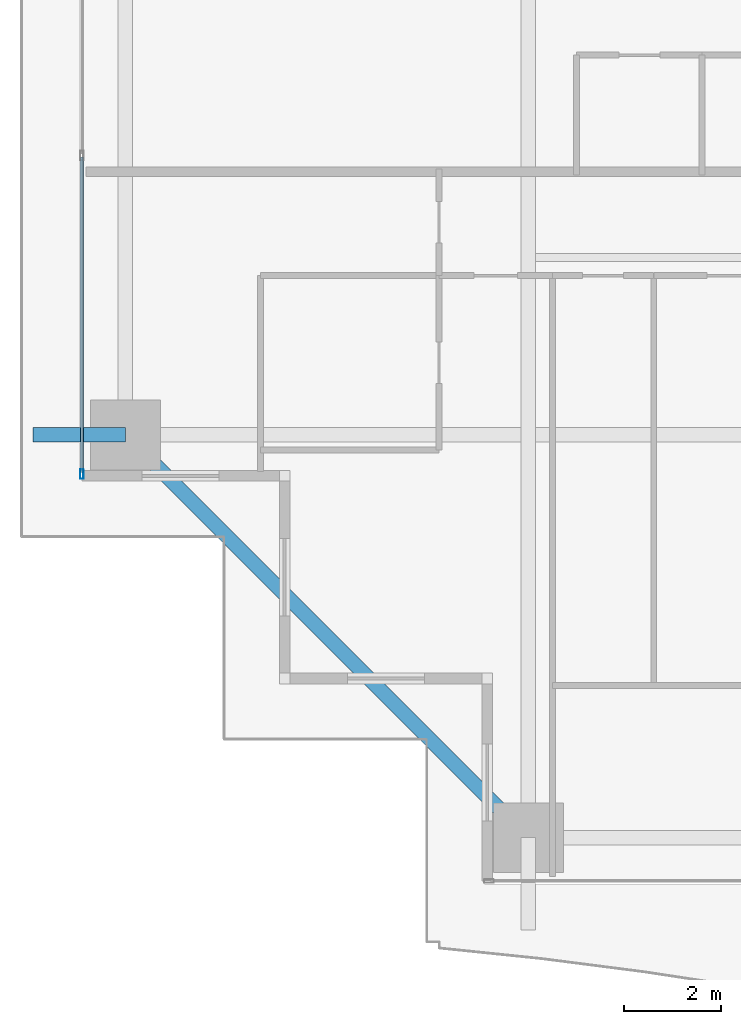
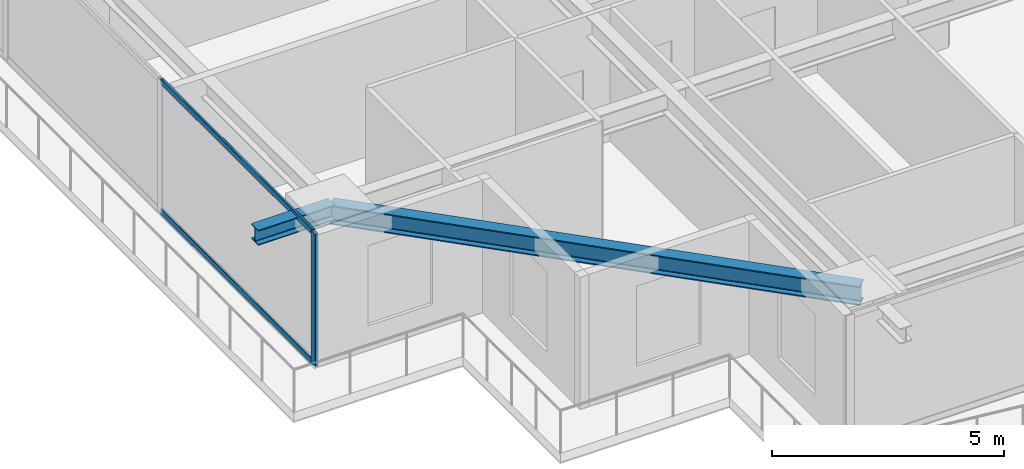
# One storey, part 3 of 39: 3 members, 2 beams, 1 element without a shape of its own.
"""IFC4 building model written with IfcOpenShell, lengths in metres."""

from ifc_helpers import new_model, si_unit, direction, frame, origin, origin_2d, place, context, subcontext, project, spatial, hollow_rectangle, i_section, extrude, source, transform, mapped, material, layer, layer_set, material_profile, profile_set, type_object, element, aggregate, save


model = new_model("IFC4")

# Units and contexts
model_context = context("Model", 3, precision=1e-05, world=origin(), true_north=direction((0.0, 1.0)))
body_context = subcontext(model_context, "Body", "Model", "MODEL_VIEW")
ifc_project = project(units=[si_unit("LENGTHUNIT", "METRE"), si_unit("AREAUNIT", "SQUARE_METRE"), si_unit("VOLUMEUNIT", "CUBIC_METRE"), si_unit("PLANEANGLEUNIT", "RADIAN"), si_unit("MASSUNIT", "GRAM", prefix="KILO")], contexts=[model_context])

# Site, building, storey
site_placement = place(None, origin())
site = spatial("IfcSite", under=ifc_project, at=site_placement, CompositionType="ELEMENT")
building_placement = place(site_placement, origin())
building = spatial("IfcBuilding", under=site, at=building_placement, Name="Serunith Strait Residences", CompositionType="ELEMENT")
storey_placement = place(building_placement, frame((0.0, 0.0, 79.199951171875)))
storey = spatial("IfcBuildingStorey", under=building, at=storey_placement, Name="L19", CompositionType="ELEMENT", Elevation=79.199951171875)

# Beams
ifc_material_1 = material(Name="Steel S355J2", Category="steel")
ifc_material_profile_1 = material_profile(ifc_material_1, i_section(OverallWidth=0.300048828125, OverallDepth=0.5, WebThickness=0.014404296875, FlangeThickness=0.028076171875, FilletRadius=0.027099609375, at=origin_2d()), Name="HEB 500")
ifc_profile_set_1 = profile_set([ifc_material_profile_1], Name="Steel S355J2")
beam_type_1 = type_object("IfcBeamType", Name="BM-HEB500", PredefinedType="BEAM", material=ifc_profile_set_1)
shared_shape_1 = source(origin(), body_context, "Body", "SweptSolid", [
    extrude(i_section(OverallWidth=0.300048828125, OverallDepth=0.5, WebThickness=0.014404296875, FlangeThickness=0.028076171875, FilletRadius=0.027099609375, at=origin_2d()), origin(), (0.0, 0.0, 1.0), 11.80859375),
])
beam_1_placement = place(storey_placement, frame((6.89990234375, 9.449951171875, 3.20703125), z_axis=(0.707117118476, -0.707096443746, 0.0), x_axis=(0.707096443746, 0.707117118476, 0.0)))
element("IfcBeam", 1, at=beam_1_placement, inside=storey, type_object=beam_type_1, Name="L19 Perimeter Ring Beam 16", PredefinedType="BEAM", context=body_context, shape_type="MappedRepresentation", body=[
    mapped(shared_shape_1, transform((0.0, 0.0, 0.0), scale=1.0)),
])
ifc_material_profile_2 = material_profile(ifc_material_1, i_section(OverallWidth=0.300048828125, OverallDepth=0.39990234375, WebThickness=0.013427734375, FlangeThickness=0.02392578125, FilletRadius=0.027099609375, at=origin_2d()), Name="HEB 400")
ifc_profile_set_2 = profile_set([ifc_material_profile_2], Name="Steel S355J2")
beam_type_2 = type_object("IfcBeamType", Name="BM-HEB400", PredefinedType="BEAM", material=ifc_profile_set_2)
shared_shape_2 = source(origin(), body_context, "Body", "SweptSolid", [
    extrude(i_section(OverallWidth=0.300048828125, OverallDepth=0.39990234375, WebThickness=0.013427734375, FlangeThickness=0.02392578125, FilletRadius=0.027099609375, at=origin_2d()), origin(), (0.0, 0.0, 1.0), 1.909912109375),
])
beam_2_placement = place(storey_placement, frame((6.89990234375, 9.449951171875, 3.257080078125), z_axis=(-1.0, 0.0, 0.0), x_axis=(0.0, -1.0, 0.0)))
element("IfcBeam", 2, at=beam_2_placement, inside=storey, type_object=beam_type_2, Name="L20 Cantilevered Balcony Rib TC-W1", PredefinedType="BEAM", context=body_context, shape_type="MappedRepresentation", body=[
    mapped(shared_shape_2, transform((0.0, 0.0, 0.0), scale=1.0)),
])

# Curtain wall, members
ifc_material_2 = material(Name="Pale-Champagne Anodised Aluminium", Category="aluminium")
ifc_layer = layer(ifc_material_2, 0.199951171875, Name="Pale-Champagne Anodised Aluminium")
ifc_layer_set = layer_set([ifc_layer], Name="Pale-Champagne Anodised Aluminium")
curtain_wall_type = type_object("IfcCurtainWallType", Name="CW-SYS1", PredefinedType="NOTDEFINED", material=ifc_layer_set)
curtain_wall_placement = place(storey_placement, origin())
curtain_wall = element("IfcCurtainWall", 3, at=curtain_wall_placement, inside=storey, type_object=curtain_wall_type, Name="L19 W Unitised Fritted Curtain Wall", PredefinedType="NOTDEFINED")
ifc_material_profile_3 = material_profile(ifc_material_2, hollow_rectangle(XDim=0.070068359375, YDim=0.199951171875, WallThickness=0.00390625, InnerFilletRadius=0.006103515625, OuterFilletRadius=0.010009765625, at=origin_2d()), Name="ALU 200x70x4")
ifc_profile_set_3 = profile_set([ifc_material_profile_3], Name="Pale-Champagne Anodised Aluminium")
member_type_1 = type_object("IfcMemberType", Name="CW-SYS1-MULL", PredefinedType="MULLION", material=ifc_profile_set_3)
shared_shape_3 = source(origin(), body_context, "Body", "SweptSolid", [
    extrude(hollow_rectangle(XDim=0.070068359375, YDim=0.199951171875, WallThickness=0.00390625, InnerFilletRadius=0.006103515625, OuterFilletRadius=0.010009765625, at=origin_2d()), origin(), (0.0, 0.0, 1.0), 3.47509765625),
])
member_1_placement = place(storey_placement, frame((6.0, 8.635009765625, 0.0), z_axis=(0.0, 0.0, 1.0), x_axis=(1.0, 0.0, 0.0)))
member_1 = element("IfcMember", 4, at=member_1_placement, type_object=member_type_1, Name="CW-1 mullion 6", PredefinedType="MULLION", context=body_context, shape_type="MappedRepresentation", body=[
    mapped(shared_shape_3, transform((0.0, 0.0, 0.0), scale=1.0)),
])
ifc_material_profile_4 = material_profile(ifc_material_2, hollow_rectangle(XDim=0.06005859375, YDim=0.159912109375, WallThickness=0.00341796875, InnerFilletRadius=0.00537109375, OuterFilletRadius=0.0087890625, at=origin_2d()), Name="ALU 160x60x3.5")
ifc_profile_set_4 = profile_set([ifc_material_profile_4], Name="Pale-Champagne Anodised Aluminium")
member_type_2 = type_object("IfcMemberType", Name="CW-SYS1-TRAN", PredefinedType="USERDEFINED", material=ifc_profile_set_4)
shared_shape_4 = source(origin(), body_context, "Body", "SweptSolid", [
    extrude(hollow_rectangle(XDim=0.06005859375, YDim=0.159912109375, WallThickness=0.00341796875, InnerFilletRadius=0.00537109375, OuterFilletRadius=0.0087890625, at=origin_2d()), origin(), (0.0, 0.0, 1.0), 6.53515625),
])
member_2_placement = place(storey_placement, frame((6.0, 15.205078125, 0.030029296875), z_axis=(0.0, -1.0, 0.0), x_axis=(1.0, 0.0, 0.0)))
member_2 = element("IfcMember", 5, at=member_2_placement, type_object=member_type_2, Name="CW-1 transom 5.1", ObjectType="TRANSOM", PredefinedType="USERDEFINED", context=body_context, shape_type="MappedRepresentation", body=[
    mapped(shared_shape_4, transform((0.0, 0.0, 0.0), scale=1.0)),
])
member_3_placement = place(storey_placement, frame((6.0, 15.205078125, 3.445068359375), z_axis=(0.0, -1.0, 0.0), x_axis=(1.0, 0.0, 0.0)))
member_3 = element("IfcMember", 6, at=member_3_placement, type_object=member_type_2, Name="CW-1 transom 5.2", ObjectType="TRANSOM", PredefinedType="USERDEFINED", context=body_context, shape_type="MappedRepresentation", body=[
    mapped(shared_shape_4, transform((0.0, 0.0, 0.0), scale=1.0)),
])
aggregate(curtain_wall, [member_1, member_2, member_3])

save(model, "model.ifc")
